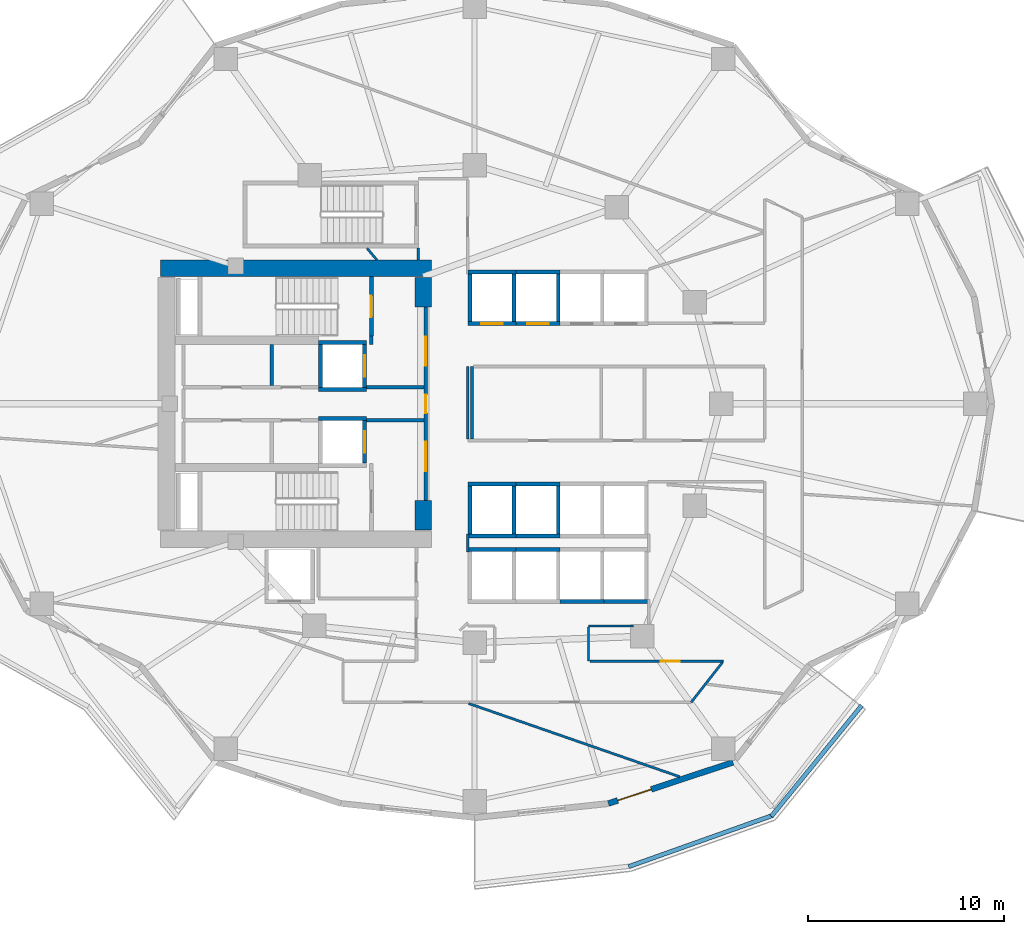
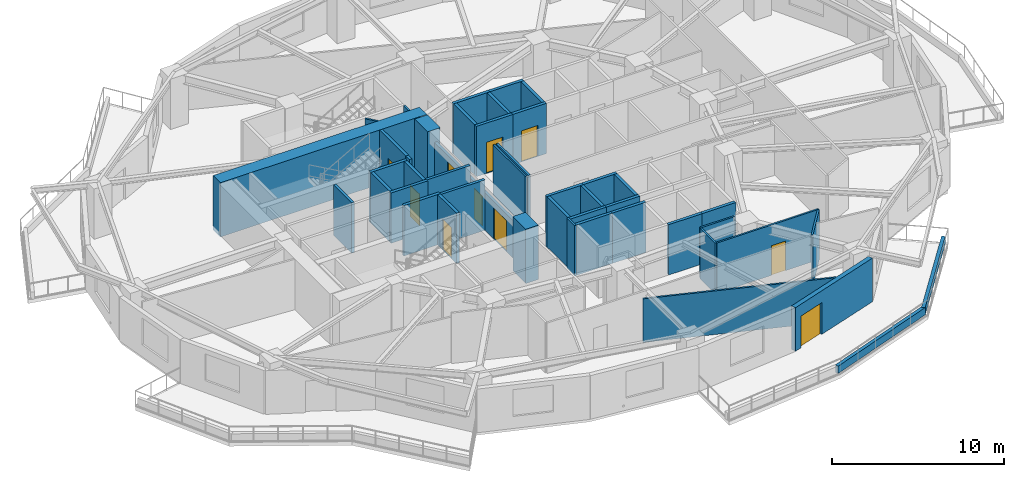
# One storey, part 4 of 11: 46 walls, 10 doors, 10 openings.
"""IFC4 building model written with IfcOpenShell, lengths in metres."""

from ifc_helpers import new_model, si_unit, direction, frame, frame_2d, origin, place, context, subcontext, project, spatial, rectangle, extrude, material, layer, layer_set, type_object, element, fill, save


model = new_model("IFC4")

# Units and contexts
model_context = context("Model", 3, precision=1e-05, world=origin(), true_north=direction((0.0, 1.0)))
body_context = subcontext(model_context, "Body", "Model", "MODEL_VIEW")
ifc_project = project(units=[si_unit("LENGTHUNIT", "METRE"), si_unit("AREAUNIT", "SQUARE_METRE"), si_unit("VOLUMEUNIT", "CUBIC_METRE"), si_unit("PLANEANGLEUNIT", "RADIAN"), si_unit("MASSUNIT", "GRAM", prefix="KILO")], contexts=[model_context])

# Site, building, storey
site_placement = place(None, origin())
site = spatial("IfcSite", under=ifc_project, at=site_placement, CompositionType="ELEMENT")
building_placement = place(site_placement, origin())
building = spatial("IfcBuilding", under=site, at=building_placement, Name="Kolvaren Gate Tower and Convention Centre", CompositionType="ELEMENT")
storey_placement = place(building_placement, frame((0.0, 0.0, 80.39990234375)))
storey = spatial("IfcBuildingStorey", under=building, at=storey_placement, Name="L19", CompositionType="ELEMENT", Elevation=80.39990234375)

# Wall
ifc_material_1 = material(Name="Autoclaved Aerated Masonry Blockwork Class 4 (4.0 MPa)", Category="masonry")
ifc_layer_1 = layer(ifc_material_1, 0.179931640625)
ifc_layer_set_1 = layer_set([ifc_layer_1], Name="Autoclaved Aerated Masonry Blockwork Class 4 (4.0 MPa)")
wall_type_1 = type_object("IfcWallType", Name="ARCH-WL-COMP-180", PredefinedType="SOLIDWALL", material=ifc_layer_set_1)
wall_1_placement = place(storey_placement, frame((24.85009765625, 30.0400390625, 0.0), z_axis=(0.0, 0.0, 1.0), x_axis=(0.0, 1.0, 0.0)))
element("IfcWall", 1, at=wall_1_placement, inside=storey, type_object=wall_type_1, Name="Interior Partition WL-L19-INT-002", PredefinedType="SOLIDWALL", context=body_context, shape_type="SweptSolid", body=[
    extrude(rectangle(XDim=0.419921875, YDim=0.179931640625, at=frame_2d((0.2099609375, 0.0))), origin(), (0.0, 0.0, 1.0), 3.570068359375),
])

# Wall, openings, doors
wall_2_placement = place(storey_placement, frame((27.6201171875, 22.050048828125, 0.0), z_axis=(0.0, 0.0, 1.0), x_axis=(0.0, 1.0, 0.0)))
wall_2 = element("IfcWall", 2, at=wall_2_placement, inside=storey, type_object=wall_type_1, Name="Interior Partition WL-L19-INT-003", PredefinedType="SOLIDWALL", context=body_context, shape_type="SweptSolid", body=[
    extrude(rectangle(XDim=9.89990234375, YDim=0.179931640625, at=frame_2d((4.949951171875, 0.0))), origin(), (0.0, 0.0, 1.0), 2.662109375),
])
opening_1_placement = place(wall_2_placement, frame((4.47509765625, 0.0, 0.0)))
opening_1 = element("IfcOpeningElement", 3, at=opening_1_placement, cuts=wall_2, Name="Opening DR-01", PredefinedType="OPENING", context=body_context, shape_type="SweptSolid", body=[
    extrude(rectangle(XDim=0.949951171875, YDim=2.10009765625, at=frame_2d((0.47509765625, 1.050048828125))), frame((0.0, 0.099853515625, 0.0), z_axis=(0.0, -1.0, 0.0), x_axis=(1.0, 0.0, 0.0)), (0.0, 0.0, 1.0), 0.199951171875),
])
opening_2_placement = place(wall_2_placement, frame((6.889892578125, 0.0, 0.0)))
opening_2 = element("IfcOpeningElement", 4, at=opening_2_placement, cuts=wall_2, Name="Opening DL-01", PredefinedType="OPENING", context=body_context, shape_type="SweptSolid", body=[
    extrude(rectangle(XDim=1.5, YDim=2.199951171875, at=frame_2d((0.75, 1.10009765625))), frame((0.0, 0.099853515625, 0.0), z_axis=(0.0, -1.0, 0.0), x_axis=(1.0, 0.0, 0.0)), (0.0, 0.0, 1.0), 0.199951171875),
])
opening_3_placement = place(wall_2_placement, frame((1.510009765625, 0.0, 0.0)))
opening_3 = element("IfcOpeningElement", 5, at=opening_3_placement, cuts=wall_2, Name="Opening DL-01", PredefinedType="OPENING", context=body_context, shape_type="SweptSolid", body=[
    extrude(rectangle(XDim=1.5, YDim=2.199951171875, at=frame_2d((0.75, 1.10009765625))), frame((0.0, 0.099853515625, 0.0), z_axis=(0.0, -1.0, 0.0), x_axis=(1.0, 0.0, 0.0)), (0.0, 0.0, 1.0), 0.199951171875),
])
ifc_material_2 = material(Name="Painted Architectural Steelwork ASTM A500 Grade C 345 MPa", Category="steel")
door_type_1 = type_object("IfcDoorType", Name="ARCH-DR-LOBBY-1500", OperationType="DOUBLE_DOOR_SINGLE_SWING", PredefinedType="DOOR", material=ifc_material_2)
door_1_placement = place(opening_2_placement, origin())
door_1 = element("IfcDoor", 6, at=door_1_placement, inside=storey, type_object=door_type_1, Name="North Firefighting Stair and Lift Lobby Door", OperationType="DOUBLE_DOOR_SINGLE_SWING", OverallHeight=2.199951171875, OverallWidth=1.5, PredefinedType="DOOR", context=body_context, shape_type="SweptSolid", body=[
    extrude(rectangle(XDim=1.5, YDim=2.199951171875, at=frame_2d((0.75, 1.10009765625))), frame((0.0, 0.02490234375, 0.0), z_axis=(0.0, -1.0, 0.0), x_axis=(1.0, 0.0, 0.0)), (0.0, 0.0, 1.0), 0.050048828125),
])
fill(opening_2, door_1)
door_2_placement = place(opening_3_placement, origin())
door_2 = element("IfcDoor", 7, at=door_2_placement, inside=storey, type_object=door_type_1, Name="South Firefighting Stair and Lift Lobby Door", OperationType="DOUBLE_DOOR_SINGLE_SWING", OverallHeight=2.199951171875, OverallWidth=1.5, PredefinedType="DOOR", context=body_context, shape_type="SweptSolid", body=[
    extrude(rectangle(XDim=1.5, YDim=2.199951171875, at=frame_2d((0.75, 1.10009765625))), frame((0.0, 0.02490234375, 0.0), z_axis=(0.0, -1.0, 0.0), x_axis=(1.0, 0.0, 0.0)), (0.0, 0.0, 1.0), 0.050048828125),
])
fill(opening_3, door_2)
door_type_2 = type_object("IfcDoorType", Name="ARCH-DR-RISER-950", OperationType="SINGLE_SWING_RIGHT", PredefinedType="DOOR", material=ifc_material_2)
door_3_placement = place(opening_1_placement, origin())
door_3 = element("IfcDoor", 8, at=door_3_placement, inside=storey, type_object=door_type_2, Name="Central MEP Service Corridor Door", OperationType="SINGLE_SWING_LEFT", OverallHeight=2.10009765625, OverallWidth=0.949951171875, PredefinedType="DOOR", context=body_context, shape_type="SweptSolid", body=[
    extrude(rectangle(XDim=0.949951171875, YDim=2.10009765625, at=frame_2d((0.47509765625, 1.050048828125))), frame((0.0, 0.02490234375, 0.0), z_axis=(0.0, -1.0, 0.0), x_axis=(1.0, 0.0, 0.0)), (0.0, 0.0, 1.0), 0.050048828125),
])
fill(opening_1, door_3)

# Walls
for number, where, z_axis, x_axis, name in (
    (9, (24.60009765625, 27.840087890625, 0.0), (0.0, 0.0, 1.0), (1.0, 0.0, 0.0), "Interior Partition WL-L19-INT-004 (2)"),
    (10, (24.60009765625, 26.159912109375, 0.0), (0.0, 0.0, 1.0), (1.0, 0.0, 0.0), "Interior Partition WL-L19-INT-005 (2)"),
):
    element("IfcWall", number, at=place(storey_placement, frame(where, z_axis=z_axis, x_axis=x_axis)), inside=storey, type_object=wall_type_1, Name=name, PredefinedType="SOLIDWALL", context=body_context, shape_type="SweptSolid", body=[
        extrude(rectangle(XDim=2.927978515625, YDim=0.179931640625, at=frame_2d((1.4638671875, 0.0))), origin(), (0.0, 0.0, 1.0), 3.570068359375),
    ])
wall_3_placement = place(storey_placement, frame((19.75, 27.931884765625, 0.0), z_axis=(0.0, 0.0, 1.0), x_axis=(0.0, 1.0, 0.0)))
element("IfcWall", 11, at=wall_3_placement, inside=storey, type_object=wall_type_1, Name="Interior Partition WL-L19-INT-008", PredefinedType="SOLIDWALL", context=body_context, shape_type="SweptSolid", body=[
    extrude(rectangle(XDim=2.106201171875, YDim=0.179931640625, at=frame_2d((1.05322265625, 0.0))), origin(), (0.0, 0.0, 1.0), 3.570068359375),
])
ifc_material_3 = material(Name="Fire-Rated Acoustic Gypsum Stud Partition", Category="gypsum")
ifc_layer_2 = layer(ifc_material_3, 0.1201171875)
ifc_layer_set_2 = layer_set([ifc_layer_2], Name="Fire-Rated Acoustic Gypsum Stud Partition")
wall_type_2 = type_object("IfcWallType", Name="ARCH-WL-PART-120", PredefinedType="PARTITIONING", material=ifc_layer_set_2)
wall_4_placement = place(storey_placement, frame((35.949951171875, 15.64990234375, 0.0), z_axis=(0.0, 0.0, 1.0), x_axis=(1.0, 0.0, 0.0)))
element("IfcWall", 12, at=wall_4_placement, inside=storey, type_object=wall_type_2, Name="Interior Partition WL-L19-INT-018", PredefinedType="PARTITIONING", context=body_context, shape_type="SweptSolid", body=[
    extrude(rectangle(XDim=2.291015625, YDim=0.1201171875, at=frame_2d((1.1455078125, 0.0))), origin(), (0.0, 0.0, 1.0), 3.570068359375),
])
wall_5_placement = place(storey_placement, frame((35.949951171875, 13.85009765625, 0.0), z_axis=(0.0, 0.0, 1.0), x_axis=(0.0, 1.0, 0.0)))
element("IfcWall", 13, at=wall_5_placement, inside=storey, type_object=wall_type_2, Name="Interior Partition WL-L19-INT-019", PredefinedType="PARTITIONING", context=body_context, shape_type="SweptSolid", body=[
    extrude(rectangle(XDim=1.73779296875, YDim=0.1201171875, at=frame_2d((0.868896484375, 0.0))), origin(), (0.0, 0.0, 1.0), 3.570068359375),
])

# Wall, opening, door
wall_6_placement = place(storey_placement, frame((36.011962890625, 13.85009765625, 0.0), z_axis=(0.0, 0.0, 1.0), x_axis=(1.0, 0.0, 0.0)))
wall_6 = element("IfcWall", 14, at=wall_6_placement, inside=storey, type_object=wall_type_2, Name="Interior Partition WL-L19-INT-022", PredefinedType="PARTITIONING", context=body_context, shape_type="SweptSolid", body=[
    extrude(rectangle(XDim=6.830078125, YDim=0.1201171875, at=frame_2d((3.4150390625, 0.0))), origin(), (0.0, 0.0, 1.0), 3.570068359375),
])
opening_4_placement = place(wall_6_placement, frame((3.639892578125, 0.0, 0.0)))
opening_4 = element("IfcOpeningElement", 15, at=opening_4_placement, cuts=wall_6, Name="Opening DR-01", PredefinedType="OPENING", context=body_context, shape_type="SweptSolid", body=[
    extrude(rectangle(XDim=0.949951171875, YDim=2.10009765625, at=frame_2d((0.47509765625, 1.050048828125))), frame((0.0, 0.070068359375, 0.0), z_axis=(0.0, -1.0, 0.0), x_axis=(1.0, 0.0, 0.0)), (0.0, 0.0, 1.0), 0.14013671875),
])
door_4_placement = place(opening_4_placement, origin())
door_4 = element("IfcDoor", 16, at=door_4_placement, inside=storey, type_object=door_type_2, Name="Operations Support Staff Centre Door", OperationType="SINGLE_SWING_RIGHT", OverallHeight=2.10009765625, OverallWidth=0.949951171875, PredefinedType="DOOR", context=body_context, shape_type="SweptSolid", body=[
    extrude(rectangle(XDim=0.949951171875, YDim=2.10009765625, at=frame_2d((0.47509765625, 1.050048828125))), frame((0.0, 0.02490234375, 0.0), z_axis=(0.0, -1.0, 0.0), x_axis=(1.0, 0.0, 0.0)), (0.0, 0.0, 1.0), 0.050048828125),
])
fill(opening_4, door_4)

# Walls
wall_7_placement = place(storey_placement, frame((41.197998046875, 11.75, 0.0), z_axis=(0.0, 0.0, 1.0), x_axis=(0.616412533256, 0.787423386016, 0.0)))
element("IfcWall", 17, at=wall_7_placement, inside=storey, type_object=wall_type_2, Name="Interior Partition WL-L19-INT-023", PredefinedType="PARTITIONING", context=body_context, shape_type="SweptSolid", body=[
    extrude(rectangle(XDim=2.58837890625, YDim=0.1201171875, at=frame_2d((1.294189453125, 0.0))), origin(), (0.0, 0.0, 1.0), 3.570068359375),
])
wall_8_placement = place(storey_placement, frame((27.25, 34.35205078125, 0.0), z_axis=(0.0, 0.0, 1.0), x_axis=(0.0, 1.0, 0.0)))
element("IfcWall", 18, at=wall_8_placement, inside=storey, type_object=wall_type_2, Name="Interior Partition WL-L19-INT-026", PredefinedType="PARTITIONING", context=body_context, shape_type="SweptSolid", body=[
    extrude(rectangle(XDim=0.60595703125, YDim=0.1201171875, at=frame_2d((0.302978515625, 0.0))), origin(), (0.0, 0.0, 1.0), 3.570068359375),
])
wall_9_placement = place(storey_placement, frame((29.780029296875, 19.43994140625, 0.0), z_axis=(0.0, 0.0, 1.0), x_axis=(0.0, 1.0, 0.0)))
element("IfcWall", 19, at=wall_9_placement, inside=storey, type_object=wall_type_2, Name="Interior Partition WL-L19-INT-028", PredefinedType="PARTITIONING", context=body_context, shape_type="SweptSolid", body=[
    extrude(rectangle(XDim=0.920166015625, YDim=0.1201171875, at=frame_2d((0.4599609375, 0.0))), origin(), (0.0, 0.0, 1.0), 3.570068359375),
])
wall_10_placement = place(storey_placement, frame((29.780029296875, 25.197021484375, 0.0), z_axis=(0.0, 0.0, 1.0), x_axis=(0.0, 1.0, 0.0)))
element("IfcWall", 20, at=wall_10_placement, inside=storey, type_object=wall_type_2, Name="Interior Partition WL-L19-INT-029", PredefinedType="PARTITIONING", context=body_context, shape_type="SweptSolid", body=[
    extrude(rectangle(XDim=3.722900390625, YDim=0.1201171875, at=frame_2d((1.861328125, 0.0))), origin(), (0.0, 0.0, 1.0), 3.570068359375),
])
wall_11_placement = place(storey_placement, frame((29.818115234375, 11.68798828125, 0.0), z_axis=(0.0, 0.0, 1.0), x_axis=(0.944668147769, -0.328027575961, 0.0)))
element("IfcWall", 21, at=wall_11_placement, inside=storey, type_object=wall_type_2, Name="Interior Partition WL-L19-INT-048", PredefinedType="PARTITIONING", context=body_context, shape_type="SweptSolid", body=[
    extrude(rectangle(XDim=11.42822265625, YDim=0.1201171875, at=frame_2d((5.714111328125, 0.0))), origin(), (0.0, 0.0, 1.0), 3.093017578125),
])
wall_12_placement = place(storey_placement, frame((24.625732421875, 34.9580078125, 0.0), z_axis=(0.0, 0.0, 1.0), x_axis=(0.643032873298, -0.765838575588, 0.0)))
element("IfcWall", 22, at=wall_12_placement, inside=storey, type_object=wall_type_2, Name="Interior Partition WL-L19-INT-053", PredefinedType="PARTITIONING", context=body_context, shape_type="SweptSolid", body=[
    extrude(rectangle(XDim=0.791259765625, YDim=0.1201171875, at=frame_2d((0.3955078125, 0.0))), origin(), (0.0, 0.0, 1.0), 3.570068359375),
])
ifc_material_4 = material(Name="Piedmont Cream Honed Limestone Cladding", Category="masonry")
ifc_layer_3 = layer(ifc_material_4, 0.219970703125)
ifc_layer_set_3 = layer_set([ifc_layer_3], Name="Piedmont Cream Honed Limestone Cladding")
wall_type_3 = type_object("IfcWallType", Name="ARCH-WL-PLANTER-220", PredefinedType="PARAPET", material=ifc_layer_set_3)
wall_13_placement = place(storey_placement, frame((38.001220703125, 3.348876953125, 0.0), z_axis=(0.0, 0.0, 1.0), x_axis=(0.942203722205, 0.335040513764, 0.0)))
element("IfcWall", 23, at=wall_13_placement, inside=storey, type_object=wall_type_3, Name="Vertical-Forest Balcony Stone Planter Kerb PK-L19-3.2", PredefinedType="PARAPET", context=body_context, shape_type="SweptSolid", body=[
    extrude(rectangle(XDim=7.80712890625, YDim=0.219970703125, at=frame_2d((3.903564453125, 0.0))), origin(), (0.0, 0.0, 1.0), 0.52001953125),
])
wall_14_placement = place(storey_placement, frame((45.2919921875, 5.91796875, 0.0), z_axis=(0.0, 0.0, 1.0), x_axis=(0.631819273026, 0.775115737315, 0.0)))
element("IfcWall", 24, at=wall_14_placement, inside=storey, type_object=wall_type_3, Name="Vertical-Forest Balcony Stone Planter Kerb PK-L19-3.3", PredefinedType="PARAPET", context=body_context, shape_type="SweptSolid", body=[
    extrude(rectangle(XDim=7.31591796875, YDim=0.219970703125, at=frame_2d((3.657958984375, 0.0))), origin(), (0.0, 0.0, 1.0), 0.52001953125),
])
ifc_layer_4 = layer(ifc_material_1, 0.199951171875)
ifc_layer_set_4 = layer_set([ifc_layer_4], Name="Autoclaved Aerated Masonry Blockwork Class 4 (4.0 MPa)")
wall_type_4 = type_object("IfcWallType", Name="ARCH-WL-SHAFT-200", PredefinedType="SOLIDWALL", material=ifc_layer_set_4)
for number, where, z_axis, x_axis, name in (
    (25, (22.14990234375, 30.139892578125, 0.0), (0.0, 0.0, 1.0), (1.0, 0.0, 0.0), "Elevator FF-01 L19 Fire Shaft Wall N"),
    (26, (22.14990234375, 27.739990234375, 0.0), (0.0, 0.0, 1.0), (1.0, 0.0, 0.0), "Elevator FF-01 L19 Fire Shaft Wall S"),
):
    element("IfcWall", number, at=place(storey_placement, frame(where, z_axis=z_axis, x_axis=x_axis)), inside=storey, type_object=wall_type_4, Name=name, PredefinedType="SOLIDWALL", context=body_context, shape_type="SweptSolid", body=[
        extrude(rectangle(XDim=2.4501953125, YDim=0.199951171875, at=frame_2d((1.22509765625, 0.0))), origin(), (0.0, 0.0, 1.0), 3.570068359375),
    ])
wall_15_placement = place(storey_placement, frame((22.25, 27.85009765625, 0.0), z_axis=(0.0, 0.0, 1.0), x_axis=(0.0, 1.0, 0.0)))
element("IfcWall", 27, at=wall_15_placement, inside=storey, type_object=wall_type_4, Name="Elevator FF-01 L19 Fire Shaft Wall W", PredefinedType="SOLIDWALL", context=body_context, shape_type="SweptSolid", body=[
    extrude(rectangle(XDim=2.179931640625, YDim=0.199951171875, at=frame_2d((1.08984375, 0.0))), origin(), (0.0, 0.0, 1.0), 3.570068359375),
])

# Wall, opening, door
wall_16_placement = place(storey_placement, frame((24.5, 27.85009765625, 0.0), z_axis=(0.0, 0.0, 1.0), x_axis=(0.0, 1.0, 0.0)))
wall_16 = element("IfcWall", 28, at=wall_16_placement, inside=storey, type_object=wall_type_4, Name="Elevator FF-01 L19 Fire Shaft Wall E", PredefinedType="SOLIDWALL", context=body_context, shape_type="SweptSolid", body=[
    extrude(rectangle(XDim=2.179931640625, YDim=0.199951171875, at=frame_2d((1.08984375, 0.0))), origin(), (0.0, 0.0, 1.0), 3.570068359375),
])
opening_5_placement = place(wall_16_placement, frame((0.5400390625, 0.0, 0.0)))
opening_5 = element("IfcOpeningElement", 29, at=opening_5_placement, cuts=wall_16, Name="Opening LD", PredefinedType="OPENING", context=body_context, shape_type="SweptSolid", body=[
    extrude(rectangle(XDim=1.10009765625, YDim=2.199951171875, at=frame_2d((0.550048828125, 1.10009765625))), frame((0.0, 0.10986328125, 0.0), z_axis=(0.0, -1.0, 0.0), x_axis=(1.0, 0.0, 0.0)), (0.0, 0.0, 1.0), 0.219970703125),
])
ifc_material_5 = material(Name="Brushed Stainless Steel Grade 316L", Category="steel")
door_type_3 = type_object("IfcDoorType", Name="ARCH-DR-LIFT-1100", OperationType="SLIDING_TO_LEFT", PredefinedType="DOOR", material=ifc_material_5)
door_5_placement = place(opening_5_placement, origin())
door_5 = element("IfcDoor", 30, at=door_5_placement, inside=storey, type_object=door_type_3, Name="Elevator FF-01 L19 Sliding Landing Door", OperationType="SLIDING_TO_LEFT", OverallHeight=2.199951171875, OverallWidth=1.10009765625, PredefinedType="DOOR", context=body_context, shape_type="SweptSolid", body=[
    extrude(rectangle(XDim=1.10009765625, YDim=2.199951171875, at=frame_2d((0.550048828125, 1.10009765625))), frame((0.0, 0.02490234375, 0.0), z_axis=(0.0, -1.0, 0.0), x_axis=(1.0, 0.0, 0.0)), (0.0, 0.0, 1.0), 0.050048828125),
])
fill(opening_5, door_5)

# Wall
wall_17_placement = place(storey_placement, frame((22.14990234375, 26.260009765625, 0.0), z_axis=(0.0, 0.0, 1.0), x_axis=(1.0, 0.0, 0.0)))
element("IfcWall", 31, at=wall_17_placement, inside=storey, type_object=wall_type_4, Name="Elevator FF-02 L19 Fire Shaft Wall N", PredefinedType="SOLIDWALL", context=body_context, shape_type="SweptSolid", body=[
    extrude(rectangle(XDim=2.4501953125, YDim=0.199951171875, at=frame_2d((1.22509765625, 0.0))), origin(), (0.0, 0.0, 1.0), 3.570068359375),
])

# Wall, opening, door
wall_18_placement = place(storey_placement, frame((24.5, 23.969970703125, 0.0), z_axis=(0.0, 0.0, 1.0), x_axis=(0.0, 1.0, 0.0)))
wall_18 = element("IfcWall", 32, at=wall_18_placement, inside=storey, type_object=wall_type_4, Name="Elevator FF-02 L19 Fire Shaft Wall E", PredefinedType="SOLIDWALL", context=body_context, shape_type="SweptSolid", body=[
    extrude(rectangle(XDim=2.179931640625, YDim=0.199951171875, at=frame_2d((1.08984375, 0.0))), origin(), (0.0, 0.0, 1.0), 3.570068359375),
])
opening_6_placement = place(wall_18_placement, frame((0.5400390625, 0.0, 0.0)))
opening_6 = element("IfcOpeningElement", 33, at=opening_6_placement, cuts=wall_18, Name="Opening LD", PredefinedType="OPENING", context=body_context, shape_type="SweptSolid", body=[
    extrude(rectangle(XDim=1.10009765625, YDim=2.199951171875, at=frame_2d((0.550048828125, 1.10009765625))), frame((0.0, 0.10986328125, 0.0), z_axis=(0.0, -1.0, 0.0), x_axis=(1.0, 0.0, 0.0)), (0.0, 0.0, 1.0), 0.219970703125),
])
door_6_placement = place(opening_6_placement, origin())
door_6 = element("IfcDoor", 34, at=door_6_placement, inside=storey, type_object=door_type_3, Name="Elevator FF-02 L19 Sliding Landing Door", OperationType="SLIDING_TO_LEFT", OverallHeight=2.199951171875, OverallWidth=1.10009765625, PredefinedType="DOOR", context=body_context, shape_type="SweptSolid", body=[
    extrude(rectangle(XDim=1.10009765625, YDim=2.199951171875, at=frame_2d((0.550048828125, 1.10009765625))), frame((0.0, 0.02490234375, 0.0), z_axis=(0.0, -1.0, 0.0), x_axis=(1.0, 0.0, 0.0)), (0.0, 0.0, 1.0), 0.050048828125),
])
fill(opening_6, door_6)

# Wall
wall_19_placement = place(storey_placement, frame((29.800048828125, 33.75, 0.0), z_axis=(0.0, 0.0, 1.0), x_axis=(1.0, 0.0, 0.0)))
element("IfcWall", 35, at=wall_19_placement, inside=storey, type_object=wall_type_4, Name="Elevator PL-01 L19 Fire Shaft Wall N", PredefinedType="SOLIDWALL", context=body_context, shape_type="SweptSolid", body=[
    extrude(rectangle(XDim=2.449951171875, YDim=0.199951171875, at=frame_2d((1.22509765625, 0.0))), origin(), (0.0, 0.0, 1.0), 3.570068359375),
])

# Wall, opening, door
wall_20_placement = place(storey_placement, frame((29.800048828125, 31.10009765625, 0.0), z_axis=(0.0, 0.0, 1.0), x_axis=(1.0, 0.0, 0.0)))
wall_20 = element("IfcWall", 36, at=wall_20_placement, inside=storey, type_object=wall_type_4, Name="Elevator PL-01 L19 Fire Shaft Wall S", PredefinedType="SOLIDWALL", context=body_context, shape_type="SweptSolid", body=[
    extrude(rectangle(XDim=2.449951171875, YDim=0.199951171875, at=frame_2d((1.22509765625, 0.0))), origin(), (0.0, 0.0, 1.0), 3.570068359375),
])
opening_7_placement = place(wall_20_placement, frame((0.675048828125, 0.0, 0.0)))
opening_7 = element("IfcOpeningElement", 37, at=opening_7_placement, cuts=wall_20, Name="Opening LD", PredefinedType="OPENING", context=body_context, shape_type="SweptSolid", body=[
    extrude(rectangle(XDim=1.10009765625, YDim=2.199951171875, at=frame_2d((0.550048828125, 1.10009765625))), frame((0.0, 0.10986328125, 0.0), z_axis=(0.0, -1.0, 0.0), x_axis=(1.0, 0.0, 0.0)), (0.0, 0.0, 1.0), 0.219970703125),
])
door_7_placement = place(opening_7_placement, origin())
door_7 = element("IfcDoor", 38, at=door_7_placement, inside=storey, type_object=door_type_3, Name="Elevator PL-01 L19 Sliding Landing Door", OperationType="SLIDING_TO_LEFT", OverallHeight=2.199951171875, OverallWidth=1.10009765625, PredefinedType="DOOR", context=body_context, shape_type="SweptSolid", body=[
    extrude(rectangle(XDim=1.10009765625, YDim=2.199951171875, at=frame_2d((0.550048828125, 1.10009765625))), frame((0.0, 0.02490234375, 0.0), z_axis=(0.0, -1.0, 0.0), x_axis=(1.0, 0.0, 0.0)), (0.0, 0.0, 1.0), 0.050048828125),
])
fill(opening_7, door_7)

# Walls
for number, where, z_axis, x_axis, name in (
    (39, (29.89990234375, 31.2099609375, 0.0), (0.0, 0.0, 1.0), (0.0, 1.0, 0.0), "Elevator PL-01 L19 Fire Shaft Wall W"),
    (40, (32.14990234375, 31.2099609375, 0.0), (0.0, 0.0, 1.0), (0.0, 1.0, 0.0), "Elevator PL-01 L19 Fire Shaft Wall E"),
):
    element("IfcWall", number, at=place(storey_placement, frame(where, z_axis=z_axis, x_axis=x_axis)), inside=storey, type_object=wall_type_4, Name=name, PredefinedType="SOLIDWALL", context=body_context, shape_type="SweptSolid", body=[
        extrude(rectangle(XDim=2.429931640625, YDim=0.199951171875, at=frame_2d((1.21484375, 0.0))), origin(), (0.0, 0.0, 1.0), 3.570068359375),
    ])
wall_21_placement = place(storey_placement, frame((32.25, 33.75, 0.0), z_axis=(0.0, 0.0, 1.0), x_axis=(1.0, 0.0, 0.0)))
element("IfcWall", 41, at=wall_21_placement, inside=storey, type_object=wall_type_4, Name="Elevator PL-02 L19 Fire Shaft Wall N", PredefinedType="SOLIDWALL", context=body_context, shape_type="SweptSolid", body=[
    extrude(rectangle(XDim=2.25, YDim=0.199951171875, at=frame_2d((1.125, 0.0))), origin(), (0.0, 0.0, 1.0), 3.570068359375),
])

# Wall, opening, door
wall_22_placement = place(storey_placement, frame((32.25, 31.10009765625, 0.0), z_axis=(0.0, 0.0, 1.0), x_axis=(1.0, 0.0, 0.0)))
wall_22 = element("IfcWall", 42, at=wall_22_placement, inside=storey, type_object=wall_type_4, Name="Elevator PL-02 L19 Fire Shaft Wall S", PredefinedType="SOLIDWALL", context=body_context, shape_type="SweptSolid", body=[
    extrude(rectangle(XDim=2.25, YDim=0.199951171875, at=frame_2d((1.125, 0.0))), origin(), (0.0, 0.0, 1.0), 3.570068359375),
])
opening_8_placement = place(wall_22_placement, frame((0.574951171875, 0.0, 0.0)))
opening_8 = element("IfcOpeningElement", 43, at=opening_8_placement, cuts=wall_22, Name="Opening LD", PredefinedType="OPENING", context=body_context, shape_type="SweptSolid", body=[
    extrude(rectangle(XDim=1.10009765625, YDim=2.199951171875, at=frame_2d((0.550048828125, 1.10009765625))), frame((0.0, 0.10986328125, 0.0), z_axis=(0.0, -1.0, 0.0), x_axis=(1.0, 0.0, 0.0)), (0.0, 0.0, 1.0), 0.219970703125),
])
door_8_placement = place(opening_8_placement, origin())
door_8 = element("IfcDoor", 44, at=door_8_placement, inside=storey, type_object=door_type_3, Name="Elevator PL-02 L19 Sliding Landing Door", OperationType="SLIDING_TO_LEFT", OverallHeight=2.199951171875, OverallWidth=1.10009765625, PredefinedType="DOOR", context=body_context, shape_type="SweptSolid", body=[
    extrude(rectangle(XDim=1.10009765625, YDim=2.199951171875, at=frame_2d((0.550048828125, 1.10009765625))), frame((0.0, 0.02490234375, 0.0), z_axis=(0.0, -1.0, 0.0), x_axis=(1.0, 0.0, 0.0)), (0.0, 0.0, 1.0), 0.050048828125),
])
fill(opening_8, door_8)

# Walls
wall_23_placement = place(storey_placement, frame((34.39990234375, 31.2099609375, 0.0), z_axis=(0.0, 0.0, 1.0), x_axis=(0.0, 1.0, 0.0)))
element("IfcWall", 45, at=wall_23_placement, inside=storey, type_object=wall_type_4, Name="Elevator PL-02 L19 Fire Shaft Wall E", PredefinedType="SOLIDWALL", context=body_context, shape_type="SweptSolid", body=[
    extrude(rectangle(XDim=2.429931640625, YDim=0.199951171875, at=frame_2d((1.21484375, 0.0))), origin(), (0.0, 0.0, 1.0), 3.570068359375),
])
wall_24_placement = place(storey_placement, frame((29.800048828125, 19.550048828125, 0.0), z_axis=(0.0, 0.0, 1.0), x_axis=(1.0, 0.0, 0.0)))
element("IfcWall", 46, at=wall_24_placement, inside=storey, type_object=wall_type_4, Name="Elevator PL-05 L19 Fire Shaft Wall N", PredefinedType="SOLIDWALL", context=body_context, shape_type="SweptSolid", body=[
    extrude(rectangle(XDim=2.449951171875, YDim=0.199951171875, at=frame_2d((1.22509765625, 0.0))), origin(), (0.0, 0.0, 1.0), 3.570068359375),
])
for number, where, z_axis, x_axis, name in (
    (47, (32.25, 19.550048828125, 0.0), (0.0, 0.0, 1.0), (1.0, 0.0, 0.0), "Elevator PL-06 L19 Fire Shaft Wall N"),
    (48, (34.5, 16.89990234375, 0.0), (0.0, 0.0, 1.0), (1.0, 0.0, 0.0), "Elevator PL-07 L19 Fire Shaft Wall S"),
    (49, (36.75, 16.89990234375, 0.0), (0.0, 0.0, 1.0), (1.0, 0.0, 0.0), "Elevator PL-08 L19 Fire Shaft Wall S"),
):
    element("IfcWall", number, at=place(storey_placement, frame(where, z_axis=z_axis, x_axis=x_axis)), inside=storey, type_object=wall_type_4, Name=name, PredefinedType="SOLIDWALL", context=body_context, shape_type="SweptSolid", body=[
        extrude(rectangle(XDim=2.25, YDim=0.199951171875, at=frame_2d((1.125, 0.0))), origin(), (0.0, 0.0, 1.0), 3.570068359375),
    ])
for number, where, z_axis, x_axis, name in (
    (50, (29.800048828125, 22.89990234375, 0.0), (0.0, 0.0, 1.0), (1.0, 0.0, 0.0), "Elevator PL-09 L19 Fire Shaft Wall N"),
    (51, (29.800048828125, 20.25, 0.0), (0.0, 0.0, 1.0), (1.0, 0.0, 0.0), "Elevator PL-09 L19 Fire Shaft Wall S"),
):
    element("IfcWall", number, at=place(storey_placement, frame(where, z_axis=z_axis, x_axis=x_axis)), inside=storey, type_object=wall_type_4, Name=name, PredefinedType="SOLIDWALL", context=body_context, shape_type="SweptSolid", body=[
        extrude(rectangle(XDim=2.449951171875, YDim=0.199951171875, at=frame_2d((1.22509765625, 0.0))), origin(), (0.0, 0.0, 1.0), 3.570068359375),
    ])
for number, where, z_axis, x_axis, name in (
    (52, (29.89990234375, 20.360107421875, 0.0), (0.0, 0.0, 1.0), (0.0, 1.0, 0.0), "Elevator PL-09 L19 Fire Shaft Wall W"),
    (53, (32.14990234375, 20.360107421875, 0.0), (0.0, 0.0, 1.0), (0.0, 1.0, 0.0), "Elevator PL-09 L19 Fire Shaft Wall E"),
):
    element("IfcWall", number, at=place(storey_placement, frame(where, z_axis=z_axis, x_axis=x_axis)), inside=storey, type_object=wall_type_4, Name=name, PredefinedType="SOLIDWALL", context=body_context, shape_type="SweptSolid", body=[
        extrude(rectangle(XDim=2.429931640625, YDim=0.199951171875, at=frame_2d((1.21484375, 0.0))), origin(), (0.0, 0.0, 1.0), 3.570068359375),
    ])
for number, where, z_axis, x_axis, name in (
    (54, (32.25, 22.89990234375, 0.0), (0.0, 0.0, 1.0), (1.0, 0.0, 0.0), "Elevator PL-10 L19 Fire Shaft Wall N"),
    (55, (32.25, 20.25, 0.0), (0.0, 0.0, 1.0), (1.0, 0.0, 0.0), "Elevator PL-10 L19 Fire Shaft Wall S"),
):
    element("IfcWall", number, at=place(storey_placement, frame(where, z_axis=z_axis, x_axis=x_axis)), inside=storey, type_object=wall_type_4, Name=name, PredefinedType="SOLIDWALL", context=body_context, shape_type="SweptSolid", body=[
        extrude(rectangle(XDim=2.25, YDim=0.199951171875, at=frame_2d((1.125, 0.0))), origin(), (0.0, 0.0, 1.0), 3.570068359375),
    ])
wall_25_placement = place(storey_placement, frame((34.39990234375, 20.360107421875, 0.0), z_axis=(0.0, 0.0, 1.0), x_axis=(0.0, 1.0, 0.0)))
element("IfcWall", 56, at=wall_25_placement, inside=storey, type_object=wall_type_4, Name="Elevator PL-10 L19 Fire Shaft Wall E", PredefinedType="SOLIDWALL", context=body_context, shape_type="SweptSolid", body=[
    extrude(rectangle(XDim=2.429931640625, YDim=0.199951171875, at=frame_2d((1.21484375, 0.0))), origin(), (0.0, 0.0, 1.0), 3.570068359375),
])

# Wall, opening, door
ifc_layer_5 = layer(ifc_material_4, 0.300048828125)
ifc_layer_set_5 = layer_set([ifc_layer_5], Name="Piedmont Cream Honed Limestone Cladding")
wall_type_5 = type_object("IfcWallType", Name="ARCH-WL-STONE-300", PredefinedType="SOLIDWALL", material=ifc_layer_set_5)
wall_26_placement = place(storey_placement, frame((36.967529296875, 6.57080078125, 0.0), z_axis=(0.0, 0.0, 1.0), x_axis=(0.949245153629, 0.314537181127, 0.0)))
wall_26 = element("IfcWall", 57, at=wall_26_placement, inside=storey, type_object=wall_type_5, Name="Tower L19 Honed Stone Spandrel Wall EW-19", PredefinedType="SOLIDWALL", context=body_context, shape_type="SweptSolid", body=[
    extrude(rectangle(XDim=6.717041015625, YDim=0.300048828125, at=frame_2d((3.3583984375, 0.0))), origin(), (0.0, 0.0, 1.0), 3.093017578125),
])
opening_9_placement = place(wall_26_placement, frame((0.5, 0.0, 0.0)))
opening_9 = element("IfcOpeningElement", 58, at=opening_9_placement, cuts=wall_26, Name="Opening DB-01", PredefinedType="OPENING", context=body_context, shape_type="SweptSolid", body=[
    extrude(rectangle(XDim=1.800048828125, YDim=2.25, at=frame_2d((0.89990234375, 1.125))), frame((0.0, 0.159912109375, 0.0), z_axis=(0.0, -1.0, 0.0), x_axis=(1.0, 0.0, 0.0)), (0.0, 0.0, 1.0), 0.320068359375),
])
ifc_material_6 = material(Name="Anodized Architectural Aluminium Alloy 6063-T6", Category="aluminium")
door_type_4 = type_object("IfcDoorType", Name="ARCH-DR-BALC-1800", OperationType="SLIDING_TO_LEFT", PredefinedType="DOOR", material=ifc_material_6)
door_9_placement = place(opening_9_placement, frame((1.800048828125, 0.0, 0.0), z_axis=(0.0, 0.0, 1.0), x_axis=(-1.0, 0.0, 0.0)))
door_9 = element("IfcDoor", 59, at=door_9_placement, inside=storey, type_object=door_type_4, Name="Planted Sky Terrace Access Door DB-L19-19", OperationType="SLIDING_TO_LEFT", OverallHeight=2.25, OverallWidth=1.800048828125, PredefinedType="DOOR", context=body_context, shape_type="SweptSolid", body=[
    extrude(rectangle(XDim=1.800048828125, YDim=2.25, at=frame_2d((0.89990234375, 1.125))), frame((0.0, 0.02490234375, 0.0), z_axis=(0.0, -1.0, 0.0), x_axis=(1.0, 0.0, 0.0)), (0.0, 0.0, 1.0), 0.050048828125),
])
fill(opening_9, door_9)

# Walls
ifc_material_7 = material(Name="Moisture-Resistant Cement-Board Acoustic Partition", Category="gypsum")
ifc_layer_6 = layer(ifc_material_7, 0.14990234375)
ifc_layer_set_6 = layer_set([ifc_layer_6], Name="Moisture-Resistant Cement-Board Acoustic Partition")
wall_type_6 = type_object("IfcWallType", Name="ARCH-WL-WET-150", PredefinedType="PARTITIONING", material=ifc_layer_set_6)
wall_27_placement = place(storey_placement, frame((30.0, 25.197021484375, 0.0), z_axis=(0.0, 0.0, 1.0), x_axis=(0.0, 1.0, 0.0)))
element("IfcWall", 60, at=wall_27_placement, inside=storey, type_object=wall_type_6, Name="Interior Partition WL-L19-INT-013", PredefinedType="PARTITIONING", context=body_context, shape_type="SweptSolid", body=[
    extrude(rectangle(XDim=3.722900390625, YDim=0.14990234375, at=frame_2d((1.861328125, 0.0))), origin(), (0.0, 0.0, 1.0), 3.570068359375),
])
ifc_material_8 = material(Name="Concrete C70/85", Category="concrete")
ifc_layer_7 = layer(ifc_material_8, 0.85009765625)
ifc_layer_set_7 = layer_set([ifc_layer_7], Name="Concrete C70/85")
wall_type_7 = type_object("IfcWallType", Name="STR-WL-CORE-850", PredefinedType="SHEAR", material=ifc_layer_set_7)
wall_28_placement = place(storey_placement, frame((14.074951171875, 33.925048828125, -0.27978515625), z_axis=(0.0, 0.0, 1.0), x_axis=(1.0, 0.0, 0.0)))
element("IfcWall", 61, at=wall_28_placement, inside=storey, type_object=wall_type_7, Name="Tower L19 Offset Core Shear Wall N", PredefinedType="SHEAR", context=body_context, shape_type="SweptSolid", body=[
    extrude(rectangle(XDim=13.85009765625, YDim=0.85009765625, at=frame_2d((6.925048828125, 0.0))), origin(), (0.0, 0.0, 1.0), 3.849853515625),
])
for number, where, z_axis, x_axis, name in (
    (62, (27.5, 31.949951171875, -0.27978515625), (0.0, 0.0, 1.0), (0.0, 1.0, 0.0), "Tower L19 Offset Core Shear Wall EN"),
    (63, (27.5, 20.550048828125, -0.27978515625), (0.0, 0.0, 1.0), (0.0, 1.0, 0.0), "Tower L19 Offset Core Shear Wall ES"),
):
    element("IfcWall", number, at=place(storey_placement, frame(where, z_axis=z_axis, x_axis=x_axis)), inside=storey, type_object=wall_type_7, Name=name, PredefinedType="SHEAR", context=body_context, shape_type="SweptSolid", body=[
        extrude(rectangle(XDim=1.5, YDim=0.85009765625, at=frame_2d((0.75, 0.0))), origin(), (0.0, 0.0, 1.0), 3.849853515625),
    ])

# Wall, opening, door
ifc_material_9 = material(Name="Concrete C50/60", Category="concrete")
ifc_layer_8 = layer(ifc_material_9, 0.199951171875)
ifc_layer_set_8 = layer_set([ifc_layer_8], Name="Concrete C50/60")
wall_type_8 = type_object("IfcWallType", Name="STR-WL-SHAFT-200", PredefinedType="SHEAR", material=ifc_layer_set_8)
wall_29_placement = place(storey_placement, frame((24.85009765625, 30.4599609375, -0.27978515625), z_axis=(0.0, 0.0, 1.0), x_axis=(0.0, 1.0, 0.0)))
wall_29 = element("IfcWall", 64, at=wall_29_placement, inside=storey, type_object=wall_type_8, Name="Tower North Exit Stair ST-T1 L19 Structural Shear Enclosure Wall NEAR", PredefinedType="SHEAR", context=body_context, shape_type="SweptSolid", body=[
    extrude(rectangle(XDim=3.0380859375, YDim=0.199951171875, at=frame_2d((1.51904296875, 0.0))), origin(), (0.0, 0.0, 1.0), 3.849853515625),
])
opening_10_placement = place(wall_29_placement, frame((0.968994140625, 0.0, 0.280029296875)))
opening_10 = element("IfcOpeningElement", 65, at=opening_10_placement, cuts=wall_29, Name="Opening DS-01", PredefinedType="OPENING", context=body_context, shape_type="SweptSolid", body=[
    extrude(rectangle(XDim=1.10009765625, YDim=2.14990234375, at=frame_2d((0.550048828125, 1.074951171875))), frame((0.0, 0.10986328125, 0.0), z_axis=(0.0, -1.0, 0.0), x_axis=(1.0, 0.0, 0.0)), (0.0, 0.0, 1.0), 0.219970703125),
])
door_type_5 = type_object("IfcDoorType", Name="ARCH-DR-STAIR-1100", OperationType="SINGLE_SWING_LEFT", PredefinedType="DOOR", material=ifc_material_2)
door_10_placement = place(opening_10_placement, origin())
door_10 = element("IfcDoor", 66, at=door_10_placement, inside=storey, type_object=door_type_5, Name="Tower North Exit Stair ST-T1 L19 Fire Exit Stair Door", OperationType="SINGLE_SWING_LEFT", OverallHeight=2.14990234375, OverallWidth=1.10009765625, PredefinedType="DOOR", context=body_context, shape_type="SweptSolid", body=[
    extrude(rectangle(XDim=1.10009765625, YDim=2.14990234375, at=frame_2d((0.550048828125, 1.074951171875))), frame((0.0, 0.02490234375, 0.0), z_axis=(0.0, -1.0, 0.0), x_axis=(1.0, 0.0, 0.0)), (0.0, 0.0, 1.0), 0.050048828125),
])
fill(opening_10, door_10)

save(model, "model.ifc")
